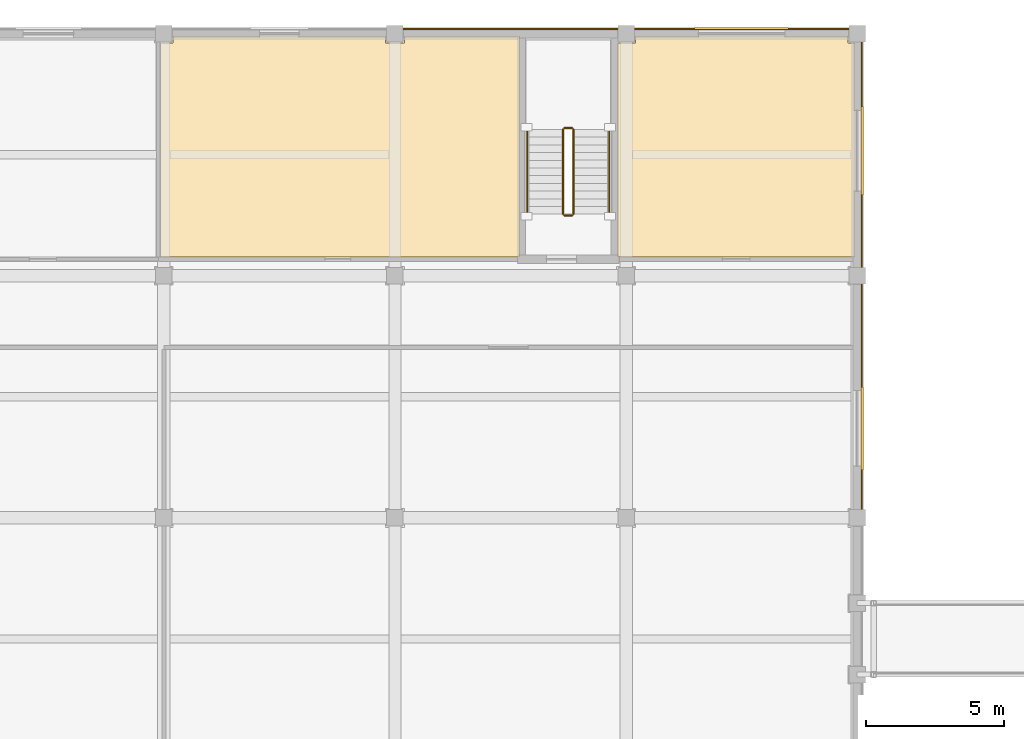
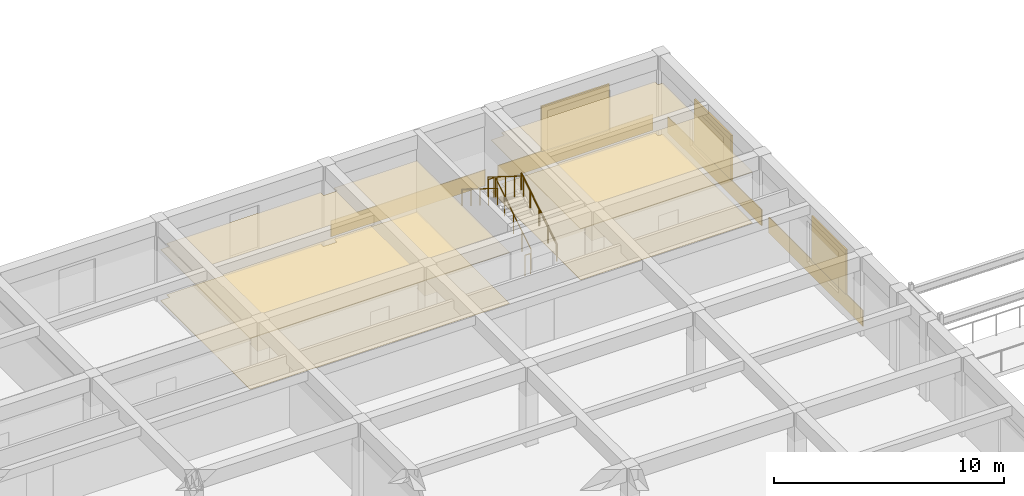
# One storey, part 53 of 57: 8 coverings, 6 railings, 3 shading devices.
"""IFC4 building model written with IfcOpenShell, lengths in metres."""

from ifc_helpers import new_model, si_unit, direction, frame, origin, origin_2d, place, context, subcontext, project, spatial, polyline, rectangle, circle, outline, extrude, material, layer, layer_set, type_object, element, save


model = new_model("IFC4")

# Units and contexts
model_context = context("Model", 3, precision=1e-05, world=origin(), true_north=direction((0.0, 1.0)))
body_context = subcontext(model_context, "Body", "Model", "MODEL_VIEW")
ifc_project = project(units=[si_unit("LENGTHUNIT", "METRE"), si_unit("AREAUNIT", "SQUARE_METRE"), si_unit("VOLUMEUNIT", "CUBIC_METRE"), si_unit("PLANEANGLEUNIT", "RADIAN"), si_unit("MASSUNIT", "GRAM", prefix="KILO")], contexts=[model_context])

# Site, building, storey
site_placement = place(None, origin())
site = spatial("IfcSite", under=ifc_project, at=site_placement, CompositionType="ELEMENT")
building_placement = place(site_placement, origin())
building = spatial("IfcBuilding", under=site, at=building_placement, Name="Kemercrest Conservatory and Botanical Centre", CompositionType="ELEMENT")
storey_placement = place(building_placement, frame((0.0, 0.0, 4.800048828125)))
storey = spatial("IfcBuildingStorey", under=building, at=storey_placement, Name="L01", CompositionType="ELEMENT", Elevation=4.800048828125)

# Coverings
ifc_material_1 = material(Name="Honed limestone almasik ashlar rainscreen", Category="masonry")
ifc_layer_1 = layer(ifc_material_1, 0.0400390625)
ifc_layer_set_1 = layer_set([ifc_layer_1], Name="Honed limestone almasik ashlar rainscreen")
covering_type_1 = type_object("IfcCoveringType", Name="CV-CLD040", PredefinedType="CLADDING", material=ifc_layer_set_1)
covering_1_placement = place(storey_placement, origin())
element("IfcCovering", 1, at=covering_1_placement, inside=storey, type_object=covering_type_1, Name="Exterior stone spandrel cladding (WAL:L01:EXT-102)", PredefinedType="CLADDING", context=body_context, shape_type="SweptSolid", body=[
    extrude(outline(polyline([(92.14990234375, 105.110107421875), (92.18994140625, 105.110107421875), (92.18994140625, 113.2900390625), (92.14990234375, 113.2900390625), (92.14990234375, 105.110107421875)])), origin(), (0.0, 0.0, 1.0), 0.849853515625),
])
covering_2_placement = place(storey_placement, origin())
element("IfcCovering", 2, at=covering_2_placement, inside=storey, type_object=covering_type_1, Name="Exterior stone spandrel cladding (WAL:L01:EXT-103)", PredefinedType="CLADDING", context=body_context, shape_type="SweptSolid", body=[
    extrude(outline(polyline([(92.14990234375, 113.909912109375), (92.18994140625, 113.909912109375), (92.18994140625, 122.090087890625), (92.14990234375, 122.090087890625), (92.14990234375, 113.909912109375)])), origin(), (0.0, 0.0, 1.0), 0.849853515625),
])
covering_3_placement = place(storey_placement, origin())
element("IfcCovering", 3, at=covering_3_placement, inside=storey, type_object=covering_type_1, Name="Exterior stone spandrel cladding (WAL:L01:EXT-104)", PredefinedType="CLADDING", context=body_context, shape_type="SweptSolid", body=[
    extrude(outline(polyline([(91.68994140625, 122.550048828125), (91.68994140625, 122.590087890625), (83.909912109375, 122.590087890625), (83.909912109375, 122.550048828125), (91.68994140625, 122.550048828125)])), origin(), (0.0, 0.0, 1.0), 0.849853515625),
])
covering_4_placement = place(storey_placement, origin())
element("IfcCovering", 4, at=covering_4_placement, inside=storey, type_object=covering_type_1, Name="Exterior stone spandrel cladding (WAL:L01:EXT-105)", PredefinedType="CLADDING", context=body_context, shape_type="SweptSolid", body=[
    extrude(outline(polyline([(83.2900390625, 122.550048828125), (83.2900390625, 122.590087890625), (75.510009765625, 122.590087890625), (75.510009765625, 122.550048828125), (83.2900390625, 122.550048828125)])), origin(), (0.0, 0.0, 1.0), 0.849853515625),
])
ifc_material_2 = material(Name="Perforated acoustic gypsum and mineral-fibre suspended ceiling", Category="gypsum")
ifc_layer_2 = layer(ifc_material_2, 0.034912109375)
ifc_layer_set_2 = layer_set([ifc_layer_2], Name="Perforated acoustic gypsum and mineral-fibre suspended ceiling")
covering_type_2 = type_object("IfcCoveringType", Name="CV-CLG035", PredefinedType="CEILING", material=ifc_layer_set_2)
covering_5_placement = place(storey_placement, frame((0.0, 0.0, 2.699951171875)))
element("IfcCovering", 5, at=covering_5_placement, inside=storey, type_object=covering_type_2, Name="Curriculum Preparation Studio suspended acoustic ceiling", PredefinedType="CEILING", context=body_context, shape_type="SweptSolid", body=[
    extrude(outline(polyline([(66.679931640625, 114.280029296875), (79.719970703125, 114.280029296875), (79.719970703125, 122.320068359375), (75.5400390625, 122.320068359375), (75.5400390625, 122.06005859375), (74.860107421875, 122.06005859375), (74.860107421875, 122.320068359375), (67.139892578125, 122.320068359375), (67.139892578125, 122.06005859375), (66.679931640625, 122.06005859375), (66.679931640625, 114.280029296875)])), origin(), (0.0, 0.0, 1.0), 0.034912109375),
])
covering_6_placement = place(storey_placement, frame((0.0, 0.0, 2.699951171875)))
element("IfcCovering", 6, at=covering_6_placement, inside=storey, type_object=covering_type_2, Name="Education Coordinator Office suspended acoustic ceiling", PredefinedType="CEILING", context=body_context, shape_type="SweptSolid", body=[
    extrude(outline(polyline([(83.280029296875, 114.280029296875), (91.919921875, 114.280029296875), (91.919921875, 122.06005859375), (91.659912109375, 122.06005859375), (91.659912109375, 122.320068359375), (83.93994140625, 122.320068359375), (83.93994140625, 122.06005859375), (83.280029296875, 122.06005859375), (83.280029296875, 114.280029296875)])), origin(), (0.0, 0.0, 1.0), 0.034912109375),
])
ifc_material_3 = material(Name="Polished limestone terrazzo and seamless laboratory epoxy flooring", Category="masonry")
ifc_layer_3 = layer(ifc_material_3, 0.02001953125)
ifc_layer_set_3 = layer_set([ifc_layer_3], Name="Polished limestone terrazzo and seamless laboratory epoxy flooring")
covering_type_3 = type_object("IfcCoveringType", Name="CV-FLR020", PredefinedType="FLOORING", material=ifc_layer_set_3)
covering_7_placement = place(storey_placement, origin())
element("IfcCovering", 7, at=covering_7_placement, inside=storey, type_object=covering_type_3, Name="Curriculum Preparation Studio floor finish", PredefinedType="FLOORING", context=body_context, shape_type="SweptSolid", body=[
    extrude(outline(polyline([(66.679931640625, 114.280029296875), (79.719970703125, 114.280029296875), (79.719970703125, 122.320068359375), (75.5400390625, 122.320068359375), (75.5400390625, 122.06005859375), (74.860107421875, 122.06005859375), (74.860107421875, 122.320068359375), (67.139892578125, 122.320068359375), (67.139892578125, 122.06005859375), (66.679931640625, 122.06005859375), (66.679931640625, 114.280029296875)])), origin(), (0.0, 0.0, 1.0), 0.02001953125),
])
covering_8_placement = place(storey_placement, origin())
element("IfcCovering", 8, at=covering_8_placement, inside=storey, type_object=covering_type_3, Name="Education Coordinator Office floor finish", PredefinedType="FLOORING", context=body_context, shape_type="SweptSolid", body=[
    extrude(outline(polyline([(83.280029296875, 114.280029296875), (91.919921875, 114.280029296875), (91.919921875, 122.06005859375), (91.659912109375, 122.06005859375), (91.659912109375, 122.320068359375), (83.93994140625, 122.320068359375), (83.93994140625, 122.06005859375), (83.280029296875, 122.06005859375), (83.280029296875, 114.280029296875)])), origin(), (0.0, 0.0, 1.0), 0.02001953125),
])

# Railings
ifc_material_4 = material(Name="Painted galvanized steel tubular stair guardrail", Category="steel")
railing_type_1 = type_object("IfcRailingType", Name="GR-STR110", PredefinedType="GUARDRAIL", material=ifc_material_4)
railing_1_placement = place(storey_placement, frame((81.68994140625, 115.840087890625, 0.175048828125)))
element("IfcRailing", 9, at=railing_1_placement, inside=storey, type_object=railing_type_1, Name="L01 ST-V3B stair guard 1", PredefinedType="GUARDRAIL", context=body_context, shape_type="SweptSolid", body=[
    extrude(circle(Radius=0.02392578125, at=origin_2d()), frame((0.0, 0.0, 1.076171875), z_axis=(0.0, 0.848009633417, 0.529980812513), x_axis=(-1.0, 0.0, 0.0)), (0.0, 0.0, 1.0), 3.6318359375),
    extrude(circle(Radius=0.02099609375, at=origin_2d()), origin(), (0.0, 0.0, 1.0), 1.052001953125),
    extrude(circle(Radius=0.02099609375, at=origin_2d()), frame((0.0, 0.77001953125, 0.481201171875)), (0.0, 0.0, 1.0), 1.052001953125),
    extrude(circle(Radius=0.02099609375, at=origin_2d()), frame((0.0, 1.5400390625, 0.96240234375)), (0.0, 0.0, 1.0), 1.052001953125),
    extrude(circle(Radius=0.02099609375, at=origin_2d()), frame((0.0, 2.309814453125, 1.443603515625)), (0.0, 0.0, 1.0), 1.052001953125),
    extrude(circle(Radius=0.02099609375, at=origin_2d()), frame((0.0, 3.079833984375, 1.9248046875)), (0.0, 0.0, 1.0), 1.052001953125),
])
railing_2_placement = place(storey_placement, frame((81.639892578125, 118.969970703125, 2.099853515625)))
element("IfcRailing", 10, at=railing_2_placement, inside=storey, type_object=railing_type_1, Name="L01 ST-V3B stair guard 2", PredefinedType="GUARDRAIL", context=body_context, shape_type="SweptSolid", body=[
    extrude(circle(Radius=0.02392578125, at=origin_2d()), frame((0.0, 0.0, 1.076171875), z_axis=(-1.0, 0.0, 0.0), x_axis=(0.0, -1.0, 0.0)), (0.0, 0.0, 1.0), 0.27978515625),
    extrude(circle(Radius=0.02099609375, at=origin_2d()), origin(), (0.0, 0.0, 1.0), 1.052001953125),
    extrude(circle(Radius=0.02099609375, at=origin_2d()), frame((-0.27978515625, 0.0, 0.0)), (0.0, 0.0, 1.0), 1.052001953125),
])
railing_3_placement = place(storey_placement, frame((81.31005859375, 118.919921875, 2.27490234375)))
element("IfcRailing", 11, at=railing_3_placement, inside=storey, type_object=railing_type_1, Name="L01 ST-V3B stair guard 3", PredefinedType="GUARDRAIL", context=body_context, shape_type="SweptSolid", body=[
    extrude(circle(Radius=0.02392578125, at=origin_2d()), frame((0.0, 0.0, 1.076171875), z_axis=(0.0, -0.847979421464, 0.530029150871), x_axis=(1.0, 0.0, 0.0)), (0.0, 0.0, 1.0), 3.632080078125),
    extrude(circle(Radius=0.02099609375, at=origin_2d()), origin(), (0.0, 0.0, 1.0), 1.052001953125),
    extrude(circle(Radius=0.02099609375, at=origin_2d()), frame((0.0, -0.77001953125, 0.481201171875)), (0.0, 0.0, 1.0), 1.052001953125),
    extrude(circle(Radius=0.02099609375, at=origin_2d()), frame((0.0, -1.5400390625, 0.96240234375)), (0.0, 0.0, 1.0), 1.052001953125),
    extrude(circle(Radius=0.02099609375, at=origin_2d()), frame((0.0, -2.309814453125, 1.44384765625)), (0.0, 0.0, 1.0), 1.052001953125),
    extrude(circle(Radius=0.02099609375, at=origin_2d()), frame((0.0, -3.079833984375, 1.925048828125)), (0.0, 0.0, 1.0), 1.052001953125),
])
railing_4_placement = place(storey_placement, frame((81.639892578125, 115.7900390625, 0.0)))
element("IfcRailing", 12, at=railing_4_placement, inside=storey, type_object=railing_type_1, Name="L01 ST-V3B stair guard 4", PredefinedType="GUARDRAIL", context=body_context, shape_type="SweptSolid", body=[
    extrude(circle(Radius=0.02392578125, at=origin_2d()), frame((0.0, 0.0, 1.076171875), z_axis=(-1.0, 0.0, 0.0), x_axis=(0.0, -1.0, 0.0)), (0.0, 0.0, 1.0), 0.27978515625),
    extrude(circle(Radius=0.02099609375, at=origin_2d()), origin(), (0.0, 0.0, 1.0), 1.052001953125),
    extrude(circle(Radius=0.02099609375, at=origin_2d()), frame((-0.27978515625, 0.0, 0.0)), (0.0, 0.0, 1.0), 1.052001953125),
])
ifc_material_5 = material(Name="Brushed stainless steel wall-mounted handrail", Category="steel")
railing_type_2 = type_object("IfcRailingType", Name="HR-STR090", PredefinedType="HANDRAIL", material=ifc_material_5)
railing_5_placement = place(storey_placement, frame((82.989990234375, 115.840087890625, 0.175048828125)))
element("IfcRailing", 13, at=railing_5_placement, inside=storey, type_object=railing_type_2, Name="L01 ST-V3B stair handrail 1", PredefinedType="HANDRAIL", context=body_context, shape_type="SweptSolid", body=[
    extrude(circle(Radius=0.02392578125, at=origin_2d()), frame((0.0, 0.0, 0.8759765625), z_axis=(0.0, 0.848009633417, 0.529980812513), x_axis=(-1.0, 0.0, 0.0)), (0.0, 0.0, 1.0), 3.6318359375),
    extrude(circle(Radius=0.02099609375, at=origin_2d()), origin(), (0.0, 0.0, 1.0), 0.851806640625),
    extrude(circle(Radius=0.02099609375, at=origin_2d()), frame((0.0, 0.77001953125, 0.481201171875)), (0.0, 0.0, 1.0), 0.851806640625),
    extrude(circle(Radius=0.02099609375, at=origin_2d()), frame((0.0, 1.5400390625, 0.96240234375)), (0.0, 0.0, 1.0), 0.851806640625),
    extrude(circle(Radius=0.02099609375, at=origin_2d()), frame((0.0, 2.309814453125, 1.443603515625)), (0.0, 0.0, 1.0), 0.851806640625),
    extrude(circle(Radius=0.02099609375, at=origin_2d()), frame((0.0, 3.079833984375, 1.9248046875)), (0.0, 0.0, 1.0), 0.851806640625),
])
railing_6_placement = place(storey_placement, frame((80.010009765625, 118.919921875, 2.27490234375)))
element("IfcRailing", 14, at=railing_6_placement, inside=storey, type_object=railing_type_2, Name="L01 ST-V3B stair handrail 2", PredefinedType="HANDRAIL", context=body_context, shape_type="SweptSolid", body=[
    extrude(circle(Radius=0.02392578125, at=origin_2d()), frame((0.0, 0.0, 0.8759765625), z_axis=(0.0, -0.847979421464, 0.530029150871), x_axis=(1.0, 0.0, 0.0)), (0.0, 0.0, 1.0), 3.632080078125),
    extrude(circle(Radius=0.02099609375, at=origin_2d()), origin(), (0.0, 0.0, 1.0), 0.851806640625),
    extrude(circle(Radius=0.02099609375, at=origin_2d()), frame((0.0, -0.77001953125, 0.481201171875)), (0.0, 0.0, 1.0), 0.851806640625),
    extrude(circle(Radius=0.02099609375, at=origin_2d()), frame((0.0, -1.5400390625, 0.96240234375)), (0.0, 0.0, 1.0), 0.851806640625),
    extrude(circle(Radius=0.02099609375, at=origin_2d()), frame((0.0, -2.309814453125, 1.44384765625)), (0.0, 0.0, 1.0), 0.851806640625),
    extrude(circle(Radius=0.02099609375, at=origin_2d()), frame((0.0, -3.079833984375, 1.925048828125)), (0.0, 0.0, 1.0), 0.851806640625),
])

# Shading devices
ifc_material_6 = material(Name="Perforated bronze-anodized aluminium", Category="aluminium")
shading_device_type_1 = type_object("IfcShadingDeviceType", Name="SH-MS03", PredefinedType="USERDEFINED", material=ifc_material_6)
shading_device_1_placement = place(storey_placement, frame((92.18798828125, 108.054931640625, 0.81982421875), z_axis=(0.0, 0.0, 1.0), x_axis=(0.0, 1.0, 0.0)))
element("IfcShadingDevice", 15, at=shading_device_1_placement, inside=storey, type_object=shading_device_type_1, Name="Ottoman mashrabiya perforated screen SH-MS03 (WIN:L01:EXT-102)", ObjectType="MASHRABIYA SCREEN", PredefinedType="USERDEFINED", context=body_context, shape_type="SweptSolid", body=[
    extrude(rectangle(XDim=3.02001953125, YDim=0.080078125, at=origin_2d()), origin(), (0.0, 0.0, 1.0), 2.360107421875),
])
shading_device_type_2 = type_object("IfcShadingDeviceType", Name="SH-MS04", PredefinedType="USERDEFINED", material=ifc_material_6)
shading_device_2_placement = place(storey_placement, frame((92.18798828125, 118.14501953125, 0.820068359375), z_axis=(0.0, 0.0, 1.0), x_axis=(0.0, 1.0, 0.0)))
element("IfcShadingDevice", 16, at=shading_device_2_placement, inside=storey, type_object=shading_device_type_2, Name="Ottoman mashrabiya perforated screen SH-MS04 (WIN:L01:EXT-103)", ObjectType="MASHRABIYA SCREEN", PredefinedType="USERDEFINED", context=body_context, shape_type="SweptSolid", body=[
    extrude(rectangle(XDim=3.219970703125, YDim=0.080078125, at=origin_2d()), origin(), (0.0, 0.0, 1.0), 2.3798828125),
])
shading_device_type_3 = type_object("IfcShadingDeviceType", Name="SH-MS05", PredefinedType="USERDEFINED", material=ifc_material_6)
shading_device_3_placement = place(storey_placement, frame((87.800048828125, 122.587890625, 0.820068359375), z_axis=(0.0, 0.0, 1.0), x_axis=(-1.0, 0.0, 0.0)))
element("IfcShadingDevice", 17, at=shading_device_3_placement, inside=storey, type_object=shading_device_type_3, Name="Ottoman mashrabiya perforated screen SH-MS05 (WIN:L01:EXT-104)", ObjectType="MASHRABIYA SCREEN", PredefinedType="USERDEFINED", context=body_context, shape_type="SweptSolid", body=[
    extrude(rectangle(XDim=3.419921875, YDim=0.080078125, at=origin_2d()), origin(), (0.0, 0.0, 1.0), 2.39990234375),
])

save(model, "model.ifc")
